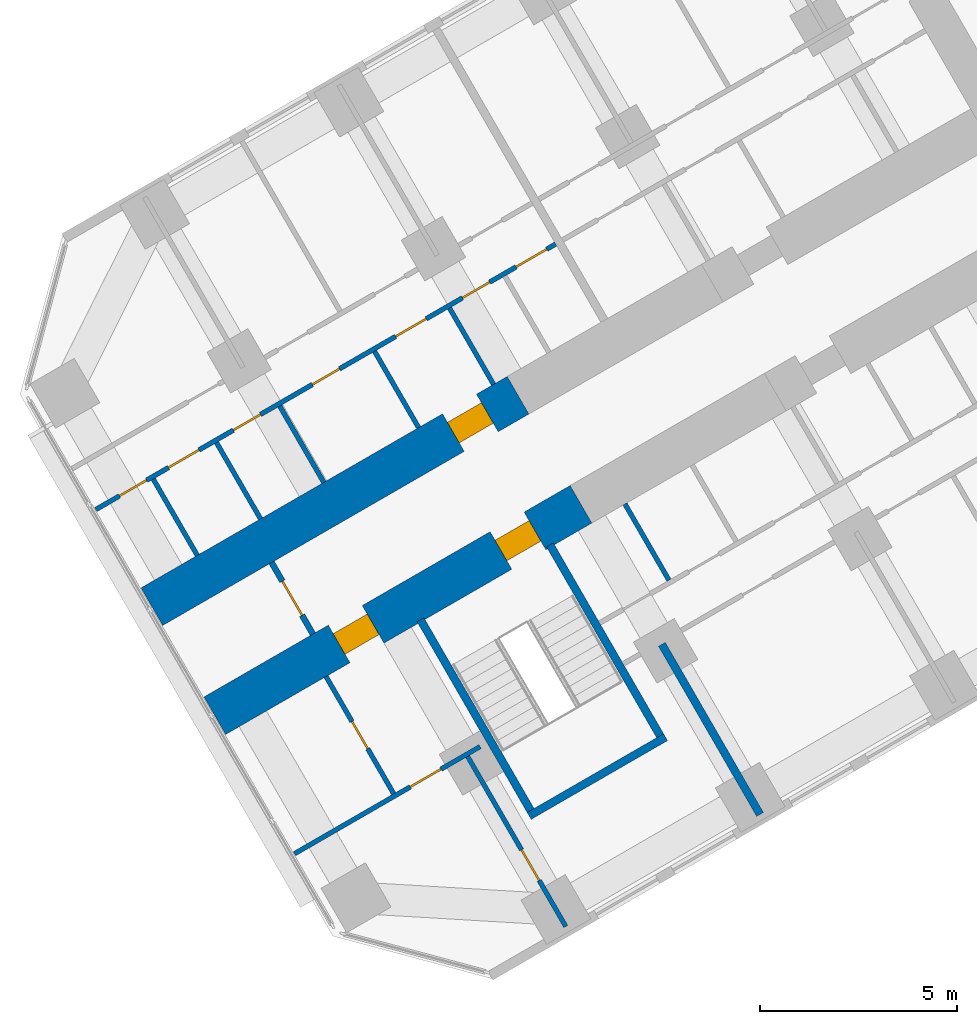
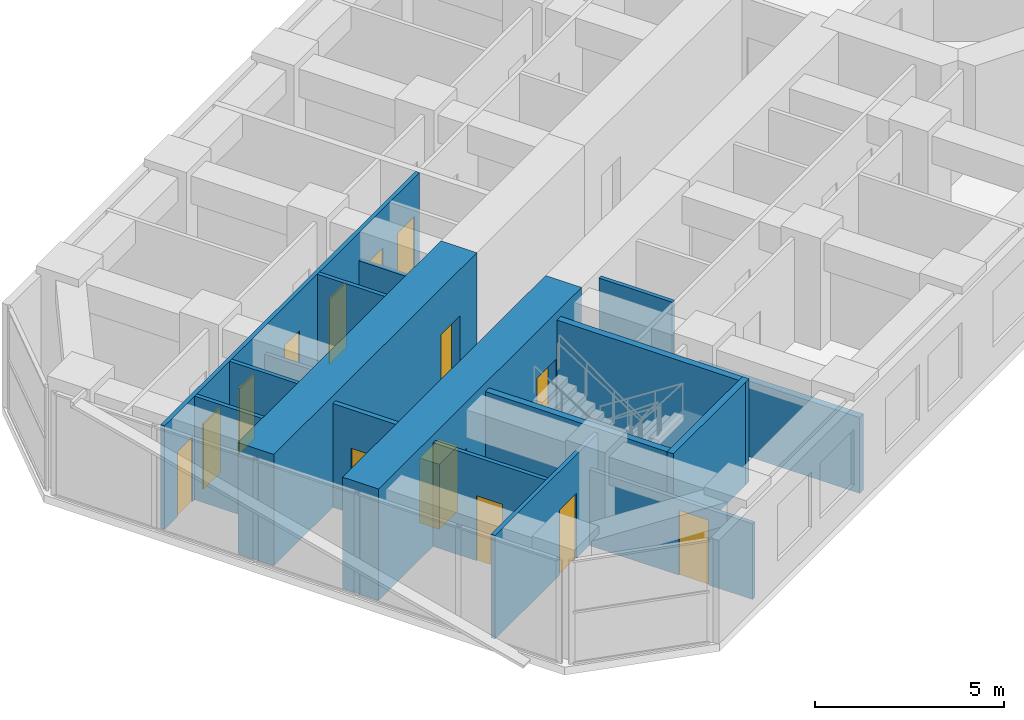
# One storey, part 10 of 19: 17 walls, 14 doors, 14 openings.
"""IFC4 building model written with IfcOpenShell, lengths in metres."""

from ifc_helpers import new_model, si_unit, direction, frame, frame_2d, origin, place, context, subcontext, project, spatial, rectangle, extrude, material, layer, layer_set, type_object, element, fill, save


model = new_model("IFC4")

# Units and contexts
model_context = context("Model", 3, precision=1e-05, world=origin(), true_north=direction((0.0, 1.0)))
body_context = subcontext(model_context, "Body", "Model", "MODEL_VIEW")
ifc_project = project(units=[si_unit("LENGTHUNIT", "METRE"), si_unit("AREAUNIT", "SQUARE_METRE"), si_unit("VOLUMEUNIT", "CUBIC_METRE"), si_unit("PLANEANGLEUNIT", "RADIAN"), si_unit("MASSUNIT", "GRAM", prefix="KILO")], contexts=[model_context])

# Site, building, storey
site_placement = place(None, origin())
site = spatial("IfcSite", under=ifc_project, at=site_placement, CompositionType="ELEMENT")
building_placement = place(site_placement, origin())
building = spatial("IfcBuilding", under=site, at=building_placement, Name="Kosmar Iwan School Tower", CompositionType="ELEMENT")
storey_placement = place(building_placement, frame((0.0, 0.0, 120.199951171875)))
storey = spatial("IfcBuildingStorey", under=building, at=storey_placement, Name="L29", CompositionType="ELEMENT", Elevation=120.199951171875)

# Wall, openings, doors
ifc_material_1 = material(Name="Concrete C50/60", Category="concrete")
ifc_layer_1 = layer(ifc_material_1, 1.10009765625)
ifc_layer_set_1 = layer_set([ifc_layer_1], Name="Corridor buttress wall 1100")
wall_type_1 = type_object("IfcWallType", Name="Corridor buttress wall 1100", PredefinedType="SHEAR", material=ifc_layer_set_1)
wall_1_placement = place(storey_placement, frame((-19.681396484375, -13.210693359375, 0.0), z_axis=(0.0, 0.0, 1.0), x_axis=(-0.866028186671, -0.499995179869, 0.0)))
wall_1 = element("IfcWall", 1, at=wall_1_placement, inside=storey, type_object=wall_type_1, Name="Corridor wall BL bay 3", PredefinedType="SHEAR", context=body_context, shape_type="SweptSolid", body=[
    extrude(rectangle(XDim=10.7451171875, YDim=1.10009765625, at=frame_2d((5.37255859375, 0.0))), origin(), (0.0, 0.0, 1.0), 3.60009765625),
])
opening_1_placement = place(wall_1_placement, frame((6.10009765625, 0.0, 0.0)))
opening_1 = element("IfcOpeningElement", 2, at=opening_1_placement, cuts=wall_1, Name="Opening D1", PredefinedType="OPENING", context=body_context, shape_type="SweptSolid", body=[
    extrude(rectangle(XDim=1.0, YDim=2.10009765625, at=frame_2d((0.5, 1.050048828125))), frame((0.0, 0.56201171875, 0.0), z_axis=(0.0, -1.0, 0.0), x_axis=(1.0, 0.0, 0.0)), (0.0, 0.0, 1.0), 1.1240234375),
])
opening_2_placement = place(wall_1_placement, frame((1.35009765625, 0.0, 0.0)))
opening_2 = element("IfcOpeningElement", 3, at=opening_2_placement, cuts=wall_1, Name="Opening D6", PredefinedType="OPENING", context=body_context, shape_type="SweptSolid", body=[
    extrude(rectangle(XDim=1.0, YDim=2.10009765625, at=frame_2d((0.5, 1.050048828125))), frame((0.0, 0.56201171875, 0.0), z_axis=(0.0, -1.0, 0.0), x_axis=(1.0, 0.0, 0.0)), (0.0, 0.0, 1.0), 1.1240234375),
])
ifc_material_2 = material(Name="Timber fire door in steel frame", Category="steel")
door_type_1 = type_object("IfcDoorType", Name="Flat entrance door 1000x2100", OperationType="SINGLE_SWING_LEFT", PredefinedType="DOOR", material=ifc_material_2)
door_1_placement = place(opening_1_placement, origin())
door_1 = element("IfcDoor", 4, at=door_1_placement, inside=storey, type_object=door_type_1, Name="Flat L29-BL2 entrance door", OperationType="SINGLE_SWING_RIGHT", OverallHeight=2.10009765625, OverallWidth=1.0, PredefinedType="DOOR", context=body_context, shape_type="SweptSolid", body=[
    extrude(rectangle(XDim=1.0, YDim=2.10009765625, at=frame_2d((0.5, 1.050048828125))), frame((0.0, 0.300048828125, 0.0), z_axis=(0.0, -1.0, 0.0), x_axis=(1.0, 0.0, 0.0)), (0.0, 0.0, 1.0), 0.60009765625),
])
fill(opening_1, door_1)
ifc_material_3 = material(Name="Steel fire door", Category="steel")
door_type_2 = type_object("IfcDoorType", Name="Stair door 1000x2100", OperationType="SINGLE_SWING_LEFT", PredefinedType="DOOR", material=ifc_material_3)
door_2_placement = place(opening_2_placement, origin())
door_2 = element("IfcDoor", 5, at=door_2_placement, inside=storey, type_object=door_type_2, Name="Stair WS2 door L29", OperationType="SINGLE_SWING_LEFT", OverallHeight=2.10009765625, OverallWidth=1.0, PredefinedType="DOOR", context=body_context, shape_type="SweptSolid", body=[
    extrude(rectangle(XDim=1.0, YDim=2.10009765625, at=frame_2d((0.5, 1.050048828125))), frame((0.0, 0.300048828125, 0.0), z_axis=(0.0, -1.0, 0.0), x_axis=(1.0, 0.0, 0.0)), (0.0, 0.0, 1.0), 0.60009765625),
])
fill(opening_2, door_2)

# Wall, opening, door
wall_2_placement = place(storey_placement, frame((-21.281494140625, -10.439453125, 0.0), z_axis=(0.0, 0.0, 1.0), x_axis=(-0.866032345022, -0.499987977232, 0.0)))
wall_2 = element("IfcWall", 6, at=wall_2_placement, inside=storey, type_object=wall_type_1, Name="Corridor wall BR bay 3", PredefinedType="SHEAR", context=body_context, shape_type="SweptSolid", body=[
    extrude(rectangle(XDim=10.744873046875, YDim=1.10009765625, at=frame_2d((5.37255859375, 0.0))), origin(), (0.0, 0.0, 1.0), 3.60009765625),
])
opening_3_placement = place(wall_2_placement, frame((0.89990234375, 0.0, 0.0)))
opening_3 = element("IfcOpeningElement", 7, at=opening_3_placement, cuts=wall_2, Name="Opening D1", PredefinedType="OPENING", context=body_context, shape_type="SweptSolid", body=[
    extrude(rectangle(XDim=1.0, YDim=2.10009765625, at=frame_2d((0.5, 1.050048828125))), frame((0.0, 0.56201171875, 0.0), z_axis=(0.0, -1.0, 0.0), x_axis=(1.0, 0.0, 0.0)), (0.0, 0.0, 1.0), 1.1240234375),
])
door_3_placement = place(opening_3_placement, origin())
door_3 = element("IfcDoor", 8, at=door_3_placement, inside=storey, type_object=door_type_1, Name="Flat L29-BR2 entrance door", OperationType="SINGLE_SWING_LEFT", OverallHeight=2.10009765625, OverallWidth=1.0, PredefinedType="DOOR", context=body_context, shape_type="SweptSolid", body=[
    extrude(rectangle(XDim=1.0, YDim=2.10009765625, at=frame_2d((0.5, 1.050048828125))), frame((0.0, 0.300048828125, 0.0), z_axis=(0.0, -1.0, 0.0), x_axis=(1.0, 0.0, 0.0)), (0.0, 0.0, 1.0), 0.60009765625),
])
fill(opening_3, door_3)

ifc_material_4 = material(Name="Gypsum board on steel studs, fire-rated", Category="steel")
ifc_layer_2 = layer(ifc_material_4, 0.14990234375)
ifc_layer_set_2 = layer_set([ifc_layer_2], Name="Corridor end wall 150")
wall_type_2 = type_object("IfcWallType", Name="Corridor end wall 150", PredefinedType="PARTITIONING", material=ifc_layer_set_2)
wall_3_placement = place(storey_placement, frame((-27.544921875, -14.690673828125, 0.0), z_axis=(0.0, 0.0, 1.0), x_axis=(0.500027713859, -0.866009402589, 0.0)))
wall_3 = element("IfcWall", 9, at=wall_3_placement, inside=storey, type_object=wall_type_2, Name="Partition L29-B-CE", PredefinedType="PARTITIONING", context=body_context, shape_type="SweptSolid", body=[
    extrude(rectangle(XDim=2.10009765625, YDim=0.14990234375, at=frame_2d((1.050048828125, 0.0))), origin(), (0.0, 0.0, 1.0), 3.35009765625),
])
opening_4_placement = place(wall_3_placement, frame((0.550048828125, 0.0, 0.0)))
opening_4 = element("IfcOpeningElement", 10, at=opening_4_placement, cuts=wall_3, Name="Opening D13", PredefinedType="OPENING", context=body_context, shape_type="SweptSolid", body=[
    extrude(rectangle(XDim=1.0, YDim=2.10009765625, at=frame_2d((0.5, 1.050048828125))), frame((0.0, 0.0869140625, 0.0), z_axis=(0.0, -1.0, 0.0), x_axis=(1.0, 0.0, 0.0)), (0.0, 0.0, 1.0), 0.173828125),
])
ifc_material_5 = material(Name="Timber fire door with vision panel", Category="wood")
door_type_3 = type_object("IfcDoorType", Name="Corridor end door 1000x2100", OperationType="SINGLE_SWING_LEFT", PredefinedType="DOOR", material=ifc_material_5)
door_4_placement = place(opening_4_placement, origin())
door_4 = element("IfcDoor", 11, at=door_4_placement, inside=storey, type_object=door_type_3, Name="Laundry and drying room door L29-B", OperationType="SINGLE_SWING_LEFT", OverallHeight=2.10009765625, OverallWidth=1.0, PredefinedType="DOOR", context=body_context, shape_type="SweptSolid", body=[
    extrude(rectangle(XDim=1.0, YDim=2.10009765625, at=frame_2d((0.5, 1.050048828125))), frame((0.0, 0.02490234375, 0.0), z_axis=(0.0, -1.0, 0.0), x_axis=(1.0, 0.0, 0.0)), (0.0, 0.0, 1.0), 0.050048828125),
])
fill(opening_4, door_4)

# Wall
ifc_material_6 = material(Name="Gypsum board on steel studs", Category="steel")
ifc_layer_3 = layer(ifc_material_6, 0.1201171875)
ifc_layer_set_3 = layer_set([ifc_layer_3], Name="Dwelling partition 120")
wall_type_3 = type_object("IfcWallType", Name="Dwelling partition 120", PredefinedType="PARTITIONING", material=ifc_layer_set_3)
wall_4_placement = place(storey_placement, frame((-18.565185546875, -13.201171875, 0.0), z_axis=(0.0, 0.0, 1.0), x_axis=(0.49994888933, -0.866054910533, 0.0)))
element("IfcWall", 12, at=wall_4_placement, inside=storey, type_object=wall_type_3, Name="Partition L29-BL1-Y6", PredefinedType="PARTITIONING", context=body_context, shape_type="SweptSolid", body=[
    extrude(rectangle(XDim=2.239990234375, YDim=0.1201171875, at=frame_2d((1.1201171875, 0.0))), origin(), (0.0, 0.0, 1.0), 3.35009765625),
])

# Wall, opening, door
wall_5_placement = place(storey_placement, frame((-22.562744140625, -19.6201171875, 0.0), z_axis=(0.0, 0.0, 1.0), x_axis=(0.499996339024, -0.86602751744, 0.0)))
wall_5 = element("IfcWall", 13, at=wall_5_placement, inside=storey, type_object=wall_type_3, Name="Partition L29-BL2-TX", PredefinedType="PARTITIONING", context=body_context, shape_type="SweptSolid", body=[
    extrude(rectangle(XDim=4.98974609375, YDim=0.1201171875, at=frame_2d((2.494873046875, 0.0))), origin(), (0.0, 0.0, 1.0), 2.449951171875),
])
opening_5_placement = place(wall_5_placement, frame((2.739990234375, 0.0, 0.0)))
opening_5 = element("IfcOpeningElement", 14, at=opening_5_placement, cuts=wall_5, Name="Opening D2", PredefinedType="OPENING", context=body_context, shape_type="SweptSolid", body=[
    extrude(rectangle(XDim=0.89990234375, YDim=2.10009765625, at=frame_2d((0.449951171875, 1.050048828125))), frame((0.0, 0.072021484375, 0.0), z_axis=(0.0, -1.0, 0.0), x_axis=(1.0, 0.0, 0.0)), (0.0, 0.0, 1.0), 0.14404296875),
])
ifc_material_7 = material(Name="Timber door in timber frame", Category="wood")
door_type_4 = type_object("IfcDoorType", Name="Internal door 900x2100", OperationType="SINGLE_SWING_LEFT", PredefinedType="DOOR", material=ifc_material_7)
door_5_placement = place(opening_5_placement, origin())
door_5 = element("IfcDoor", 15, at=door_5_placement, inside=storey, type_object=door_type_4, Name="Bedroom 1 door L29-BL2-T1", OperationType="SINGLE_SWING_RIGHT", OverallHeight=2.10009765625, OverallWidth=0.89990234375, PredefinedType="DOOR", context=body_context, shape_type="SweptSolid", body=[
    extrude(rectangle(XDim=0.89990234375, YDim=2.10009765625, at=frame_2d((0.449951171875, 1.050048828125))), frame((0.0, 0.02490234375, 0.0), z_axis=(0.0, -1.0, 0.0), x_axis=(1.0, 0.0, 0.0)), (0.0, 0.0, 1.0), 0.050048828125),
])
fill(opening_5, door_5)

wall_6_placement = place(storey_placement, frame((-22.246337890625, -19.3681640625, 0.0), z_axis=(0.0, 0.0, 1.0), x_axis=(-0.866035508231, -0.499982498177, 0.0)))
wall_6 = element("IfcWall", 16, at=wall_6_placement, inside=storey, type_object=wall_type_3, Name="Partition L29-BL2-TW", PredefinedType="PARTITIONING", context=body_context, shape_type="SweptSolid", body=[
    extrude(rectangle(XDim=5.445068359375, YDim=0.1201171875, at=frame_2d((2.72265625, 0.0))), origin(), (0.0, 0.0, 1.0), 3.35009765625),
])
opening_6_placement = place(wall_6_placement, frame((1.14990234375, 0.0, 0.0)))
opening_6 = element("IfcOpeningElement", 17, at=opening_6_placement, cuts=wall_6, Name="Opening D2", PredefinedType="OPENING", context=body_context, shape_type="SweptSolid", body=[
    extrude(rectangle(XDim=0.89990234375, YDim=2.10009765625, at=frame_2d((0.449951171875, 1.050048828125))), frame((0.0, 0.072021484375, 0.0), z_axis=(0.0, -1.0, 0.0), x_axis=(1.0, 0.0, 0.0)), (0.0, 0.0, 1.0), 0.14404296875),
])
door_6_placement = place(opening_6_placement, origin())
door_6 = element("IfcDoor", 18, at=door_6_placement, inside=storey, type_object=door_type_4, Name="Entrance hall door L29-BL2-T3", OperationType="SINGLE_SWING_LEFT", OverallHeight=2.10009765625, OverallWidth=0.89990234375, PredefinedType="DOOR", context=body_context, shape_type="SweptSolid", body=[
    extrude(rectangle(XDim=0.89990234375, YDim=2.10009765625, at=frame_2d((0.449951171875, 1.050048828125))), frame((0.0, 0.02490234375, 0.0), z_axis=(0.0, -1.0, 0.0), x_axis=(1.0, 0.0, 0.0)), (0.0, 0.0, 1.0), 0.050048828125),
])
fill(opening_6, door_6)

wall_7_placement = place(storey_placement, frame((-26.16162109375, -17.5869140625, 0.0), z_axis=(0.0, 0.0, 1.0), x_axis=(0.500031650748, -0.866007129446, 0.0)))
wall_7 = element("IfcWall", 19, at=wall_7_placement, inside=storey, type_object=wall_type_3, Name="Partition L29-BL2-TY", PredefinedType="PARTITIONING", context=body_context, shape_type="SweptSolid", body=[
    extrude(rectangle(XDim=3.440185546875, YDim=0.1201171875, at=frame_2d((1.72021484375, 0.0))), origin(), (0.0, 0.0, 1.0), 3.35009765625),
])
opening_7_placement = place(wall_7_placement, frame((1.320068359375, 0.0, 0.0)))
opening_7 = element("IfcOpeningElement", 20, at=opening_7_placement, cuts=wall_7, Name="Opening D3", PredefinedType="OPENING", context=body_context, shape_type="SweptSolid", body=[
    extrude(rectangle(XDim=0.800048828125, YDim=2.10009765625, at=frame_2d((0.39990234375, 1.050048828125))), frame((0.0, 0.072021484375, 0.0), z_axis=(0.0, -1.0, 0.0), x_axis=(1.0, 0.0, 0.0)), (0.0, 0.0, 1.0), 0.14404296875),
])
ifc_material_8 = material(Name="Timber door in timber frame", Category="wood")
door_type_5 = type_object("IfcDoorType", Name="Sanitary room door 800x2100", OperationType="SINGLE_SWING_LEFT", PredefinedType="DOOR", material=ifc_material_8)
door_7_placement = place(opening_7_placement, origin())
door_7 = element("IfcDoor", 21, at=door_7_placement, inside=storey, type_object=door_type_5, Name="Bathroom door L29-BL2-T4", OperationType="SINGLE_SWING_RIGHT", OverallHeight=2.10009765625, OverallWidth=0.800048828125, PredefinedType="DOOR", context=body_context, shape_type="SweptSolid", body=[
    extrude(rectangle(XDim=0.800048828125, YDim=2.10009765625, at=frame_2d((0.39990234375, 1.050048828125))), frame((0.0, 0.02490234375, 0.0), z_axis=(0.0, -1.0, 0.0), x_axis=(1.0, 0.0, 0.0)), (0.0, 0.0, 1.0), 0.050048828125),
])
fill(opening_7, door_7)

# Wall, openings, doors
wall_8_placement = place(storey_placement, frame((-20.324951171875, -6.59619140625, 0.0), z_axis=(0.0, 0.0, 1.0), x_axis=(-0.866023503214, -0.50000329187, 0.0)))
wall_8 = element("IfcWall", 22, at=wall_8_placement, inside=storey, type_object=wall_type_3, Name="Partition L29-BR2-W1", PredefinedType="PARTITIONING", context=body_context, shape_type="SweptSolid", body=[
    extrude(rectangle(XDim=13.4951171875, YDim=0.1201171875, at=frame_2d((6.74755859375, 0.0))), origin(), (0.0, 0.0, 1.0), 3.35009765625),
])
opening_8_placement = place(wall_8_placement, frame((0.262451171875, 0.0, 0.0)))
opening_8 = element("IfcOpeningElement", 23, at=opening_8_placement, cuts=wall_8, Name="Opening D2", PredefinedType="OPENING", context=body_context, shape_type="SweptSolid", body=[
    extrude(rectangle(XDim=0.89990234375, YDim=2.10009765625, at=frame_2d((0.449951171875, 1.050048828125))), frame((0.0, 0.072021484375, 0.0), z_axis=(0.0, -1.0, 0.0), x_axis=(1.0, 0.0, 0.0)), (0.0, 0.0, 1.0), 0.14404296875),
])
opening_9_placement = place(wall_8_placement, frame((1.9375, 0.0, 0.0)))
opening_9 = element("IfcOpeningElement", 24, at=opening_9_placement, cuts=wall_8, Name="Opening D3", PredefinedType="OPENING", context=body_context, shape_type="SweptSolid", body=[
    extrude(rectangle(XDim=0.800048828125, YDim=2.10009765625, at=frame_2d((0.39990234375, 1.050048828125))), frame((0.0, 0.072021484375, 0.0), z_axis=(0.0, -1.0, 0.0), x_axis=(1.0, 0.0, 0.0)), (0.0, 0.0, 1.0), 0.14404296875),
])
opening_10_placement = place(wall_8_placement, frame((3.800048828125, 0.0, 0.0)))
opening_10 = element("IfcOpeningElement", 25, at=opening_10_placement, cuts=wall_8, Name="Opening D2", PredefinedType="OPENING", context=body_context, shape_type="SweptSolid", body=[
    extrude(rectangle(XDim=0.89990234375, YDim=2.10009765625, at=frame_2d((0.449951171875, 1.050048828125))), frame((0.0, 0.072021484375, 0.0), z_axis=(0.0, -1.0, 0.0), x_axis=(1.0, 0.0, 0.0)), (0.0, 0.0, 1.0), 0.14404296875),
])
opening_11_placement = place(wall_8_placement, frame((6.341796875, 0.0, 0.0)))
opening_11 = element("IfcOpeningElement", 26, at=opening_11_placement, cuts=wall_8, Name="Opening D3", PredefinedType="OPENING", context=body_context, shape_type="SweptSolid", body=[
    extrude(rectangle(XDim=0.800048828125, YDim=2.10009765625, at=frame_2d((0.39990234375, 1.050048828125))), frame((0.0, 0.072021484375, 0.0), z_axis=(0.0, -1.0, 0.0), x_axis=(1.0, 0.0, 0.0)), (0.0, 0.0, 1.0), 0.14404296875),
])
opening_12_placement = place(wall_8_placement, frame((8.6611328125, 0.0, 0.0)))
opening_12 = element("IfcOpeningElement", 27, at=opening_12_placement, cuts=wall_8, Name="Opening D3", PredefinedType="OPENING", context=body_context, shape_type="SweptSolid", body=[
    extrude(rectangle(XDim=0.800048828125, YDim=2.10009765625, at=frame_2d((0.39990234375, 1.050048828125))), frame((0.0, 0.072021484375, 0.0), z_axis=(0.0, -1.0, 0.0), x_axis=(1.0, 0.0, 0.0)), (0.0, 0.0, 1.0), 0.14404296875),
])
opening_13_placement = place(wall_8_placement, frame((10.466796875, 0.0, 0.0)))
opening_13 = element("IfcOpeningElement", 28, at=opening_13_placement, cuts=wall_8, Name="Opening D2", PredefinedType="OPENING", context=body_context, shape_type="SweptSolid", body=[
    extrude(rectangle(XDim=0.89990234375, YDim=2.10009765625, at=frame_2d((0.449951171875, 1.050048828125))), frame((0.0, 0.072021484375, 0.0), z_axis=(0.0, -1.0, 0.0), x_axis=(1.0, 0.0, 0.0)), (0.0, 0.0, 1.0), 0.14404296875),
])
opening_14_placement = place(wall_8_placement, frame((12.00439453125, 0.0, 0.0)))
opening_14 = element("IfcOpeningElement", 29, at=opening_14_placement, cuts=wall_8, Name="Opening D3", PredefinedType="OPENING", context=body_context, shape_type="SweptSolid", body=[
    extrude(rectangle(XDim=0.800048828125, YDim=2.10009765625, at=frame_2d((0.39990234375, 1.050048828125))), frame((0.0, 0.072021484375, 0.0), z_axis=(0.0, -1.0, 0.0), x_axis=(1.0, 0.0, 0.0)), (0.0, 0.0, 1.0), 0.14404296875),
])
door_8_placement = place(opening_8_placement, origin())
door_8 = element("IfcDoor", 30, at=door_8_placement, inside=storey, type_object=door_type_4, Name="Utility room door L29-BR2-S1", OperationType="SINGLE_SWING_LEFT", OverallHeight=2.10009765625, OverallWidth=0.89990234375, PredefinedType="DOOR", context=body_context, shape_type="SweptSolid", body=[
    extrude(rectangle(XDim=0.89990234375, YDim=2.10009765625, at=frame_2d((0.449951171875, 1.050048828125))), frame((0.0, 0.02490234375, 0.0), z_axis=(0.0, -1.0, 0.0), x_axis=(1.0, 0.0, 0.0)), (0.0, 0.0, 1.0), 0.050048828125),
])
fill(opening_8, door_8)
door_9_placement = place(opening_10_placement, origin())
door_9 = element("IfcDoor", 31, at=door_9_placement, inside=storey, type_object=door_type_4, Name="Entrance hall door L29-BR2-S3", OperationType="SINGLE_SWING_LEFT", OverallHeight=2.10009765625, OverallWidth=0.89990234375, PredefinedType="DOOR", context=body_context, shape_type="SweptSolid", body=[
    extrude(rectangle(XDim=0.89990234375, YDim=2.10009765625, at=frame_2d((0.449951171875, 1.050048828125))), frame((0.0, 0.02490234375, 0.0), z_axis=(0.0, -1.0, 0.0), x_axis=(1.0, 0.0, 0.0)), (0.0, 0.0, 1.0), 0.050048828125),
])
fill(opening_10, door_9)
door_10_placement = place(opening_13_placement, origin())
door_10 = element("IfcDoor", 32, at=door_10_placement, inside=storey, type_object=door_type_4, Name="Pantry door L29-BR2-S6", OperationType="SINGLE_SWING_RIGHT", OverallHeight=2.10009765625, OverallWidth=0.89990234375, PredefinedType="DOOR", context=body_context, shape_type="SweptSolid", body=[
    extrude(rectangle(XDim=0.89990234375, YDim=2.10009765625, at=frame_2d((0.449951171875, 1.050048828125))), frame((0.0, 0.02490234375, 0.0), z_axis=(0.0, -1.0, 0.0), x_axis=(1.0, 0.0, 0.0)), (0.0, 0.0, 1.0), 0.050048828125),
])
fill(opening_13, door_10)
door_11_placement = place(opening_9_placement, origin())
door_11 = element("IfcDoor", 33, at=door_11_placement, inside=storey, type_object=door_type_5, Name="WC door L29-BR2-S2", OperationType="SINGLE_SWING_RIGHT", OverallHeight=2.10009765625, OverallWidth=0.800048828125, PredefinedType="DOOR", context=body_context, shape_type="SweptSolid", body=[
    extrude(rectangle(XDim=0.800048828125, YDim=2.10009765625, at=frame_2d((0.39990234375, 1.050048828125))), frame((0.0, 0.02490234375, 0.0), z_axis=(0.0, -1.0, 0.0), x_axis=(1.0, 0.0, 0.0)), (0.0, 0.0, 1.0), 0.050048828125),
])
fill(opening_9, door_11)
door_12_placement = place(opening_11_placement, origin())
door_12 = element("IfcDoor", 34, at=door_12_placement, inside=storey, type_object=door_type_5, Name="Bathroom door L29-BR2-S4", OperationType="SINGLE_SWING_RIGHT", OverallHeight=2.10009765625, OverallWidth=0.800048828125, PredefinedType="DOOR", context=body_context, shape_type="SweptSolid", body=[
    extrude(rectangle(XDim=0.800048828125, YDim=2.10009765625, at=frame_2d((0.39990234375, 1.050048828125))), frame((0.0, 0.02490234375, 0.0), z_axis=(0.0, -1.0, 0.0), x_axis=(1.0, 0.0, 0.0)), (0.0, 0.0, 1.0), 0.050048828125),
])
fill(opening_11, door_12)
door_13_placement = place(opening_12_placement, origin())
door_13 = element("IfcDoor", 35, at=door_13_placement, inside=storey, type_object=door_type_5, Name="Shower room door L29-BR2-S5", OperationType="SINGLE_SWING_LEFT", OverallHeight=2.10009765625, OverallWidth=0.800048828125, PredefinedType="DOOR", context=body_context, shape_type="SweptSolid", body=[
    extrude(rectangle(XDim=0.800048828125, YDim=2.10009765625, at=frame_2d((0.39990234375, 1.050048828125))), frame((0.0, 0.02490234375, 0.0), z_axis=(0.0, -1.0, 0.0), x_axis=(1.0, 0.0, 0.0)), (0.0, 0.0, 1.0), 0.050048828125),
])
fill(opening_12, door_13)
door_14_placement = place(opening_14_placement, origin())
door_14 = element("IfcDoor", 36, at=door_14_placement, inside=storey, type_object=door_type_5, Name="Store door L29-BR2-S7", OperationType="SINGLE_SWING_LEFT", OverallHeight=2.10009765625, OverallWidth=0.800048828125, PredefinedType="DOOR", context=body_context, shape_type="SweptSolid", body=[
    extrude(rectangle(XDim=0.800048828125, YDim=2.10009765625, at=frame_2d((0.39990234375, 1.050048828125))), frame((0.0, 0.02490234375, 0.0), z_axis=(0.0, -1.0, 0.0), x_axis=(1.0, 0.0, 0.0)), (0.0, 0.0, 1.0), 0.050048828125),
])
fill(opening_14, door_14)

# Walls
wall_9_placement = place(storey_placement, frame((-21.90283203125, -10.1630859375, 0.0), z_axis=(0.0, 0.0, 1.0), x_axis=(-0.500030632641, 0.866007717299, 0.0)))
element("IfcWall", 37, at=wall_9_placement, inside=storey, type_object=wall_type_3, Name="Partition L29-BR2-Y2", PredefinedType="PARTITIONING", context=body_context, shape_type="SweptSolid", body=[
    extrude(rectangle(XDim=2.239990234375, YDim=0.1201171875, at=frame_2d((1.1201171875, 0.0))), origin(), (0.0, 0.0, 1.0), 2.449951171875),
])
wall_10_placement = place(storey_placement, frame((-23.80810546875, -11.262939453125, 0.0), z_axis=(0.0, 0.0, 1.0), x_axis=(-0.500077830873, 0.865980463445, 0.0)))
element("IfcWall", 38, at=wall_10_placement, inside=storey, type_object=wall_type_3, Name="Partition L29-BR2-Y3", PredefinedType="PARTITIONING", context=body_context, shape_type="SweptSolid", body=[
    extrude(rectangle(XDim=2.239990234375, YDim=0.1201171875, at=frame_2d((1.1201171875, 0.0))), origin(), (0.0, 0.0, 1.0), 3.35009765625),
])
wall_11_placement = place(storey_placement, frame((-26.218505859375, -12.65478515625, 0.0), z_axis=(0.0, 0.0, 1.0), x_axis=(-0.500030632641, 0.866007717299, 0.0)))
element("IfcWall", 39, at=wall_11_placement, inside=storey, type_object=wall_type_3, Name="Partition L29-BR2-Y4", PredefinedType="PARTITIONING", context=body_context, shape_type="SweptSolid", body=[
    extrude(rectangle(XDim=2.239990234375, YDim=0.1201171875, at=frame_2d((1.1201171875, 0.0))), origin(), (0.0, 0.0, 1.0), 2.449951171875),
])
for number, where, z_axis, x_axis, name in (
    (40, (-27.825439453125, -13.58251953125, 0.0), (0.0, 0.0, 1.0), (-0.500030632641, 0.866007717299, 0.0), "Partition L29-BR2-Y5"),
    (41, (-29.4326171875, -14.51025390625, 0.0), (0.0, 0.0, 1.0), (-0.49994888933, 0.866054910533, 0.0), "Partition L29-BR2-Y6"),
):
    element("IfcWall", number, at=place(storey_placement, frame(where, z_axis=z_axis, x_axis=x_axis)), inside=storey, type_object=wall_type_3, Name=name, PredefinedType="PARTITIONING", context=body_context, shape_type="SweptSolid", body=[
        extrude(rectangle(XDim=2.239990234375, YDim=0.1201171875, at=frame_2d((1.1201171875, 0.0))), origin(), (0.0, 0.0, 1.0), 3.35009765625),
    ])
ifc_material_9 = material(Name="Concrete C35/45", Category="concrete")
ifc_layer_4 = layer(ifc_material_9, 0.199951171875)
ifc_layer_set_4 = layer_set([ifc_layer_4], Name="Escape stair wall 200")
wall_type_4 = type_object("IfcWallType", Name="Escape stair wall 200", PredefinedType="SHEAR", material=ifc_layer_set_4)
for number, where, z_axis, x_axis, name in (
    (42, (-20.470703125, -14.24365234375, 0.0), (0.0, 0.0, 1.0), (0.499987231761, -0.866032775405, 0.0), "Stair WS2 wall"),
    (43, (-23.76171875, -16.1435546875, 0.0), (0.0, 0.0, 1.0), (0.500018801468, -0.86601454848, 0.0), "Stair WS2 wall"),
):
    element("IfcWall", number, at=place(storey_placement, frame(where, z_axis=z_axis, x_axis=x_axis)), inside=storey, type_object=wall_type_4, Name=name, PredefinedType="SHEAR", context=body_context, shape_type="SweptSolid", body=[
        extrude(rectangle(XDim=5.800048828125, YDim=0.199951171875, at=frame_2d((2.89990234375, 0.0))), origin(), (0.0, 0.0, 1.0), 3.330078125),
    ])
wall_12_placement = place(storey_placement, frame((-17.5341796875, -19.1298828125, 0.0), z_axis=(0.0, 0.0, 1.0), x_axis=(-0.866026010844, -0.49999894854, 0.0)))
element("IfcWall", 44, at=wall_12_placement, inside=storey, type_object=wall_type_4, Name="Stair WS2 wall", PredefinedType="SHEAR", context=body_context, shape_type="SweptSolid", body=[
    extrude(rectangle(XDim=4.0, YDim=0.199951171875, at=frame_2d((2.0, 0.0))), origin(), (0.0, 0.0, 1.0), 3.330078125),
])
ifc_material_10 = material(Name="Concrete block masonry", Category="masonry")
ifc_layer_5 = layer(ifc_material_10, 0.199951171875)
ifc_layer_set_5 = layer_set([ifc_layer_5], Name="Party wall 200")
wall_type_5 = type_object("IfcWallType", Name="Party wall 200", PredefinedType="PARTITIONING", material=ifc_layer_set_5)
wall_13_placement = place(storey_placement, frame((-17.62646484375, -16.77001953125, 0.0), z_axis=(0.0, 0.0, 1.0), x_axis=(0.499975153383, -0.86603974851, 0.0)))
element("IfcWall", 45, at=wall_13_placement, inside=storey, type_object=wall_type_5, Name="Partition L29-BL2-TB", PredefinedType="PARTITIONING", context=body_context, shape_type="SweptSolid", body=[
    extrude(rectangle(XDim=4.989990234375, YDim=0.199951171875, at=frame_2d((2.4951171875, 0.0))), origin(), (0.0, 0.0, 1.0), 2.449951171875),
])

save(model, "model.ifc")
